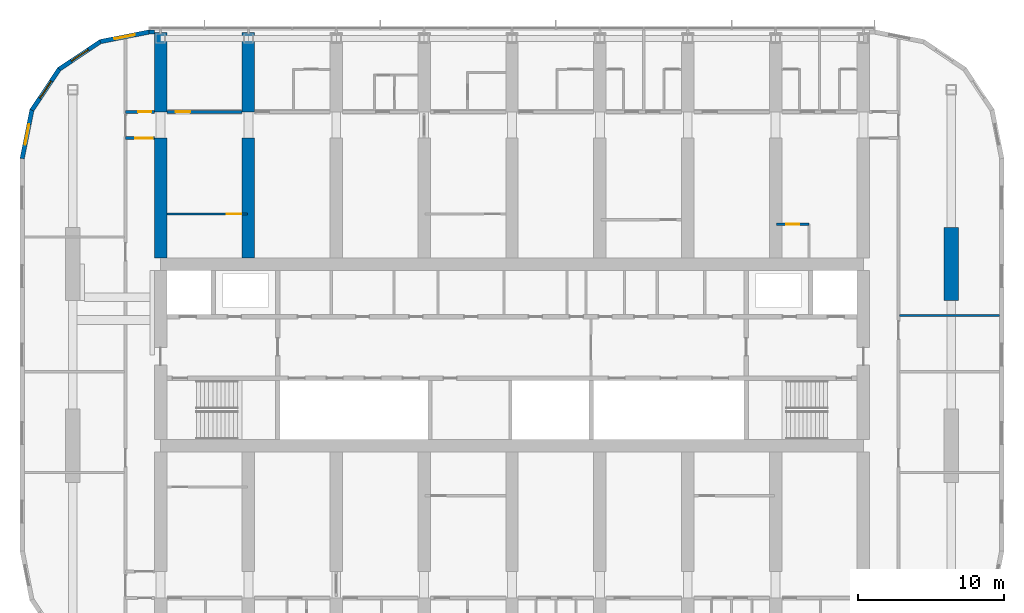
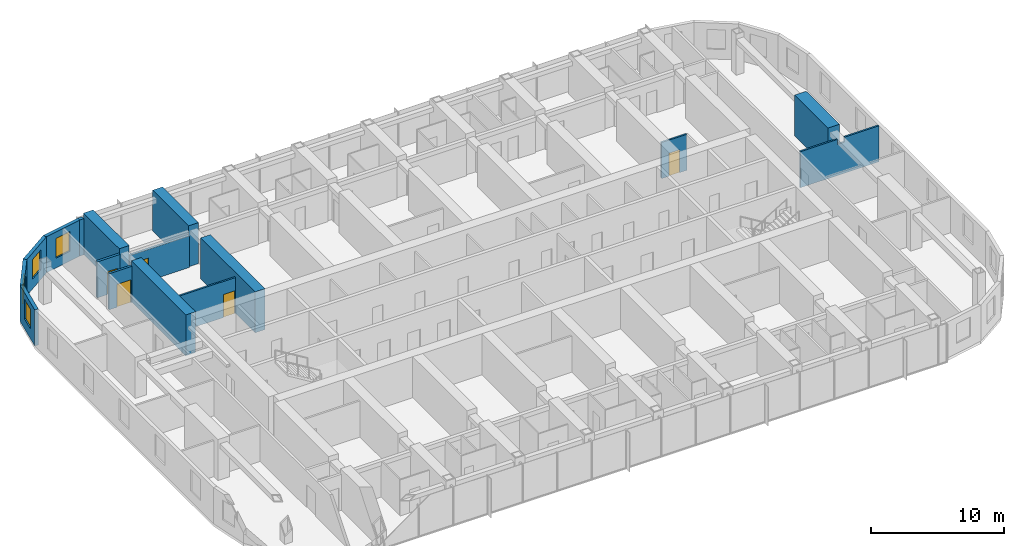
# One storey, part 15 of 23: 16 walls, 5 doors, 4 windows, 9 openings.
"""IFC4 building model written with IfcOpenShell, lengths in metres."""

from ifc_helpers import new_model, si_unit, direction, frame, frame_2d, origin, place, context, subcontext, project, spatial, polyline, rectangle, outline, extrude, material, layer, layer_set, type_object, element, fill, save


model = new_model("IFC4")

# Units and contexts
model_context = context("Model", 3, precision=1e-05, world=origin(), true_north=direction((0.0, 1.0)))
body_context = subcontext(model_context, "Body", "Model", "MODEL_VIEW")
ifc_project = project(units=[si_unit("LENGTHUNIT", "METRE"), si_unit("AREAUNIT", "SQUARE_METRE"), si_unit("VOLUMEUNIT", "CUBIC_METRE"), si_unit("PLANEANGLEUNIT", "RADIAN"), si_unit("MASSUNIT", "GRAM", prefix="KILO")], contexts=[model_context])

# Site, building, storey
site_placement = place(None, origin())
site = spatial("IfcSite", under=ifc_project, at=site_placement, CompositionType="ELEMENT")
building_placement = place(site_placement, origin())
building = spatial("IfcBuilding", under=site, at=building_placement, Name="Orbita Commons", CompositionType="ELEMENT")
storey_placement = place(building_placement, frame((0.0, 0.0, 174.85009765625)))
storey = spatial("IfcBuildingStorey", under=building, at=storey_placement, Name="L43", CompositionType="ELEMENT", Elevation=174.85009765625)

# Wall, opening, door
ifc_material_1 = material(Name="Concrete blockwork", Category="masonry")
ifc_layer_1 = layer(ifc_material_1, 0.199951171875)
ifc_layer_set_1 = layer_set([ifc_layer_1], Name="Concrete blockwork")
wall_type_1 = type_object("IfcWallType", Name="Corridor wall 200 blockwork", PredefinedType="SOLIDWALL", material=ifc_layer_set_1)
wall_1_placement = place(storey_placement, frame((15.60009765625, 48.60009765625, 0.0), z_axis=(0.0, 0.0, 1.0), x_axis=(1.0, 0.0, 0.0)))
wall_1 = element("IfcWall", 1, at=wall_1_placement, inside=storey, type_object=wall_type_1, Name="Corridor wall 200 blockwork L43", PredefinedType="SOLIDWALL", context=body_context, shape_type="SweptSolid", body=[
    extrude(rectangle(XDim=1.974853515625, YDim=0.199951171875, at=frame_2d((0.9873046875, 0.0))), origin(), (0.0, 0.0, 1.0), 3.2998046875),
])
opening_1_placement = place(wall_1_placement, frame((0.875, 0.0, 0.0)))
opening_1 = element("IfcOpeningElement", 2, at=opening_1_placement, cuts=wall_1, Name="Opening D05", PredefinedType="OPENING", context=body_context, shape_type="SweptSolid", body=[
    extrude(rectangle(XDim=0.89990234375, YDim=2.10009765625, at=frame_2d((0.449951171875, 1.050048828125))), frame((0.0, 0.10986328125, 0.0), z_axis=(0.0, -1.0, 0.0), x_axis=(1.0, 0.0, 0.0)), (0.0, 0.0, 1.0), 0.219970703125),
])
ifc_material_2 = material(Name="Steel-faced fire door leaf", Category="steel")
door_type_1 = type_object("IfcDoorType", Name="Service door 20 min 900x2100", OperationType="SINGLE_SWING_LEFT", PredefinedType="DOOR", material=ifc_material_2)
door_1_placement = place(opening_1_placement, origin())
door_1 = element("IfcDoor", 3, at=door_1_placement, inside=storey, type_object=door_type_1, Name="Linen store L43-KWN door", OperationType="SINGLE_SWING_LEFT", OverallHeight=2.10009765625, OverallWidth=0.89990234375, PredefinedType="DOOR", context=body_context, shape_type="SweptSolid", body=[
    extrude(rectangle(XDim=0.89990234375, YDim=2.10009765625, at=frame_2d((0.449951171875, 1.050048828125))), frame((0.0, 0.02490234375, 0.0), z_axis=(0.0, -1.0, 0.0), x_axis=(1.0, 0.0, 0.0)), (0.0, 0.0, 1.0), 0.050048828125),
])
fill(opening_1, door_1)

wall_2_placement = place(storey_placement, frame((18.425048828125, 48.60009765625, 0.0), z_axis=(0.0, 0.0, 1.0), x_axis=(1.0, 0.0, 0.0)))
wall_2 = element("IfcWall", 4, at=wall_2_placement, inside=storey, type_object=wall_type_1, Name="Corridor wall 200 blockwork L43", PredefinedType="SOLIDWALL", context=body_context, shape_type="SweptSolid", body=[
    extrude(outline(polyline([(0.0, 0.0), (5.14990234375, 0.0), (5.14990234375, 2.89990234375), (0.0, 2.89990234375), (0.0, 0.0)])), frame((0.0, 0.10009765625, 0.0), z_axis=(0.0, -1.0, 0.0), x_axis=(1.0, 0.0, 0.0)), (0.0, 0.0, 1.0), 0.199951171875),
])
opening_2_placement = place(wall_2_placement, frame((0.60009765625, 0.0, 0.0)))
opening_2 = element("IfcOpeningElement", 5, at=opening_2_placement, cuts=wall_2, Name="Opening D06", PredefinedType="OPENING", context=body_context, shape_type="SweptSolid", body=[
    extrude(rectangle(XDim=1.0, YDim=2.10009765625, at=frame_2d((0.5, 1.050048828125))), frame((0.0, 0.10986328125, 0.0), z_axis=(0.0, -1.0, 0.0), x_axis=(1.0, 0.0, 0.0)), (0.0, 0.0, 1.0), 0.219970703125),
])
ifc_material_3 = material(Name="Steel-faced fire door leaf", Category="steel")
door_type_2 = type_object("IfcDoorType", Name="Corridor door 20 min 1000x2100", OperationType="SINGLE_SWING_LEFT", PredefinedType="DOOR", material=ifc_material_3)
door_2_placement = place(opening_2_placement, origin())
door_2 = element("IfcDoor", 6, at=door_2_placement, inside=storey, type_object=door_type_2, Name="Sea-view lounge L43-N00 door", OperationType="SINGLE_SWING_LEFT", OverallHeight=2.10009765625, OverallWidth=1.0, PredefinedType="DOOR", context=body_context, shape_type="SweptSolid", body=[
    extrude(rectangle(XDim=1.0, YDim=2.10009765625, at=frame_2d((0.5, 1.050048828125))), frame((0.0, 0.02490234375, 0.0), z_axis=(0.0, -1.0, 0.0), x_axis=(1.0, 0.0, 0.0)), (0.0, 0.0, 1.0), 0.050048828125),
])
fill(opening_2, door_2)

ifc_material_4 = material(Name="Hollow concrete block 200", Category="concrete")
ifc_layer_2 = layer(ifc_material_4, 0.199951171875)
ifc_layer_set_2 = layer_set([ifc_layer_2], Name="Hollow concrete block 200")
wall_type_2 = type_object("IfcWallType", Name="Corridor wall 200 hollow concrete block", PredefinedType="SOLIDWALL", material=ifc_layer_set_2)
wall_3_placement = place(storey_placement, frame((15.60009765625, 46.800048828125, 0.0), z_axis=(0.0, 0.0, 1.0), x_axis=(1.0, 0.0, 0.0)))
wall_3 = element("IfcWall", 7, at=wall_3_placement, inside=storey, type_object=wall_type_2, Name="Corridor wall 200 hollow concrete block L43", PredefinedType="SOLIDWALL", context=body_context, shape_type="SweptSolid", body=[
    extrude(rectangle(XDim=1.974853515625, YDim=0.199951171875, at=frame_2d((0.9873046875, 0.0))), origin(), (0.0, 0.0, 1.0), 3.2998046875),
])
opening_3_placement = place(wall_3_placement, frame((0.675048828125, 0.0, 0.0)))
opening_3 = element("IfcOpeningElement", 8, at=opening_3_placement, cuts=wall_3, Name="Opening D12", PredefinedType="OPENING", context=body_context, shape_type="SweptSolid", body=[
    extrude(rectangle(XDim=1.199951171875, YDim=2.10009765625, at=frame_2d((0.60009765625, 1.050048828125))), frame((0.0, 0.10986328125, 0.0), z_axis=(0.0, -1.0, 0.0), x_axis=(1.0, 0.0, 0.0)), (0.0, 0.0, 1.0), 0.219970703125),
])
ifc_material_5 = material(Name="Steel-faced fire door leaf", Category="steel")
door_type_3 = type_object("IfcDoorType", Name="Double corridor door 20 min 1200x2100", OperationType="DOUBLE_DOOR_SINGLE_SWING", PredefinedType="DOOR", material=ifc_material_5)
door_3_placement = place(opening_3_placement, origin())
door_3 = element("IfcDoor", 9, at=door_3_placement, inside=storey, type_object=door_type_3, Name="Cross corridor doors", OperationType="DOUBLE_DOOR_SINGLE_SWING", OverallHeight=2.10009765625, OverallWidth=1.199951171875, PredefinedType="DOOR", context=body_context, shape_type="SweptSolid", body=[
    extrude(rectangle(XDim=1.199951171875, YDim=2.10009765625, at=frame_2d((0.60009765625, 1.050048828125))), frame((0.0, 0.02490234375, 0.0), z_axis=(0.0, -1.0, 0.0), x_axis=(1.0, 0.0, 0.0)), (0.0, 0.0, 1.0), 0.050048828125),
])
fill(opening_3, door_3)

# Walls
ifc_material_6 = material(Name="Concrete C50/60", Category="concrete")
ifc_layer_3 = layer(ifc_material_6, 0.85009765625)
ifc_layer_set_3 = layer_set([ifc_layer_3], Name="Concrete C50/60")
wall_type_3 = type_object("IfcWallType", Name="Cross wall 850 C50/60", PredefinedType="SHEAR", material=ifc_layer_set_3)
wall_4_placement = place(storey_placement, frame((18.0, 48.60009765625, 0.0), z_axis=(0.0, 0.0, 1.0), x_axis=(0.0, 1.0, 0.0)))
element("IfcWall", 10, at=wall_4_placement, inside=storey, type_object=wall_type_3, Name="Cross wall 4 north outer L43", PredefinedType="SHEAR", context=body_context, shape_type="SweptSolid", body=[
    extrude(rectangle(XDim=5.39990234375, YDim=0.85009765625, at=frame_2d((2.699951171875, 0.0))), origin(), (0.0, 0.0, 1.0), 3.75),
])
wall_5_placement = place(storey_placement, frame((18.0, 38.625, 0.0), z_axis=(0.0, 0.0, 1.0), x_axis=(0.0, 1.0, 0.0)))
element("IfcWall", 11, at=wall_5_placement, inside=storey, type_object=wall_type_3, Name="Cross wall 4 north inner L43", PredefinedType="SHEAR", context=body_context, shape_type="SweptSolid", body=[
    extrude(rectangle(XDim=8.175048828125, YDim=0.85009765625, at=frame_2d((4.08740234375, 0.0))), origin(), (0.0, 0.0, 1.0), 3.75),
])
wall_6_placement = place(storey_placement, frame((24.0, 48.60009765625, 0.0), z_axis=(0.0, 0.0, 1.0), x_axis=(0.0, 1.0, 0.0)))
element("IfcWall", 12, at=wall_6_placement, inside=storey, type_object=wall_type_3, Name="Cross wall 5 north outer L43", PredefinedType="SHEAR", context=body_context, shape_type="SweptSolid", body=[
    extrude(rectangle(XDim=5.39990234375, YDim=0.85009765625, at=frame_2d((2.699951171875, 0.0))), origin(), (0.0, 0.0, 1.0), 3.75),
])
wall_7_placement = place(storey_placement, frame((24.0, 38.625, 0.0), z_axis=(0.0, 0.0, 1.0), x_axis=(0.0, 1.0, 0.0)))
element("IfcWall", 13, at=wall_7_placement, inside=storey, type_object=wall_type_3, Name="Cross wall 5 north inner L43", PredefinedType="SHEAR", context=body_context, shape_type="SweptSolid", body=[
    extrude(rectangle(XDim=8.175048828125, YDim=0.85009765625, at=frame_2d((4.08740234375, 0.0))), origin(), (0.0, 0.0, 1.0), 3.75),
])
ifc_material_7 = material(Name="Concrete C50/60", Category="concrete")
ifc_layer_4 = layer(ifc_material_7, 1.0)
ifc_layer_set_4 = layer_set([ifc_layer_4], Name="Concrete C50/60")
wall_type_4 = type_object("IfcWallType", Name="End pier 1000x5000 C50/60", PredefinedType="SHEAR", material=ifc_layer_set_4)
wall_8_placement = place(storey_placement, frame((72.0, 35.699951171875, 0.0), z_axis=(0.0, 0.0, 1.0), x_axis=(0.0, 1.0, 0.0)))
element("IfcWall", 14, at=wall_8_placement, inside=storey, type_object=wall_type_4, Name="End pier 13/D L43", PredefinedType="SHEAR", context=body_context, shape_type="SweptSolid", body=[
    extrude(rectangle(XDim=5.0, YDim=1.0, at=frame_2d((2.5, 0.0))), origin(), (0.0, 0.0, 1.0), 3.75),
])

# Wall, opening, door
ifc_material_8 = material(Name="Gypsum plasterboard on steel studs", Category="steel")
ifc_layer_5 = layer(ifc_material_8, 0.14990234375)
ifc_layer_set_5 = layer_set([ifc_layer_5], Name="Gypsum plasterboard on steel studs")
wall_type_5 = type_object("IfcWallType", Name="Partition 150 plasterboard", PredefinedType="PARTITIONING", material=ifc_layer_set_5)
wall_9_placement = place(storey_placement, frame((23.925048828125, 41.625, 0.0), z_axis=(0.0, 0.0, 1.0), x_axis=(-1.0, 0.0, 0.0)))
wall_9 = element("IfcWall", 15, at=wall_9_placement, inside=storey, type_object=wall_type_5, Name="Partition 150 plasterboard L43", PredefinedType="PARTITIONING", context=body_context, shape_type="SweptSolid", body=[
    extrude(rectangle(XDim=5.5, YDim=0.14990234375, at=frame_2d((2.75, 0.0))), origin(), (0.0, 0.0, 1.0), 3.2998046875),
])
opening_4_placement = place(wall_9_placement, frame((0.39990234375, 0.0, 0.0)))
opening_4 = element("IfcOpeningElement", 16, at=opening_4_placement, cuts=wall_9, Name="Opening D18", PredefinedType="OPENING", context=body_context, shape_type="SweptSolid", body=[
    extrude(rectangle(XDim=1.0, YDim=2.10009765625, at=frame_2d((0.5, 1.050048828125))), frame((0.0, 0.0849609375, 0.0), z_axis=(0.0, -1.0, 0.0), x_axis=(1.0, 0.0, 0.0)), (0.0, 0.0, 1.0), 0.169921875),
])
ifc_material_9 = material(Name="Steel-faced fire door leaf", Category="steel")
door_type_4 = type_object("IfcDoorType", Name="Service door 20 min 1000x2100", OperationType="SINGLE_SWING_LEFT", PredefinedType="DOOR", material=ifc_material_9)
door_4_placement = place(opening_4_placement, origin())
door_4 = element("IfcDoor", 17, at=door_4_placement, inside=storey, type_object=door_type_4, Name="Bulk and luggage store L43-BDN18 door", OperationType="SINGLE_SWING_LEFT", OverallHeight=2.10009765625, OverallWidth=1.0, PredefinedType="DOOR", context=body_context, shape_type="SweptSolid", body=[
    extrude(rectangle(XDim=1.0, YDim=2.10009765625, at=frame_2d((0.5, 1.050048828125))), frame((0.0, 0.02490234375, 0.0), z_axis=(0.0, -1.0, 0.0), x_axis=(1.0, 0.0, 0.0)), (0.0, 0.0, 1.0), 0.050048828125),
])
fill(opening_4, door_4)

wall_10_placement = place(storey_placement, frame((62.27490234375, 40.925048828125, 0.0), z_axis=(0.0, 0.0, 1.0), x_axis=(-1.0, 0.0, 0.0)))
wall_10 = element("IfcWall", 18, at=wall_10_placement, inside=storey, type_object=wall_type_5, Name="Partition 150 plasterboard L43", PredefinedType="PARTITIONING", context=body_context, shape_type="SweptSolid", body=[
    extrude(rectangle(XDim=2.199951171875, YDim=0.14990234375, at=frame_2d((1.10009765625, 0.0))), origin(), (0.0, 0.0, 1.0), 3.2998046875),
])
opening_5_placement = place(wall_10_placement, frame((0.64990234375, 0.0, 0.0)))
opening_5 = element("IfcOpeningElement", 19, at=opening_5_placement, cuts=wall_10, Name="Opening D05", PredefinedType="OPENING", context=body_context, shape_type="SweptSolid", body=[
    extrude(rectangle(XDim=0.89990234375, YDim=2.10009765625, at=frame_2d((0.449951171875, 1.050048828125))), frame((0.0, 0.0849609375, 0.0), z_axis=(0.0, -1.0, 0.0), x_axis=(1.0, 0.0, 0.0)), (0.0, 0.0, 1.0), 0.169921875),
])
door_5_placement = place(opening_5_placement, origin())
door_5 = element("IfcDoor", 20, at=door_5_placement, inside=storey, type_object=door_type_1, Name="Accessible WC L43-BDN60 door", OperationType="SINGLE_SWING_LEFT", OverallHeight=2.10009765625, OverallWidth=0.89990234375, PredefinedType="DOOR", context=body_context, shape_type="SweptSolid", body=[
    extrude(rectangle(XDim=0.89990234375, YDim=2.10009765625, at=frame_2d((0.449951171875, 1.050048828125))), frame((0.0, 0.02490234375, 0.0), z_axis=(0.0, -1.0, 0.0), x_axis=(1.0, 0.0, 0.0)), (0.0, 0.0, 1.0), 0.050048828125),
])
fill(opening_5, door_5)

# Wall
wall_11_placement = place(storey_placement, frame((68.47509765625, 34.679931640625, 0.0), z_axis=(0.0, 0.0, 1.0), x_axis=(1.0, 0.0, 0.0)))
element("IfcWall", 21, at=wall_11_placement, inside=storey, type_object=wall_type_5, Name="Partition 150 plasterboard L43", PredefinedType="PARTITIONING", context=body_context, shape_type="SweptSolid", body=[
    extrude(outline(polyline([(0.0, 0.0), (6.81982421875, 0.0), (6.820068359375, 3.2998046875), (3.826904296875, 3.2998046875), (3.824951171875, 2.849853515625), (3.22705078125, 2.849853515625), (3.22509765625, 3.2998046875), (0.0, 3.2998046875), (0.0, 0.0)])), frame((0.0, 0.074951171875, 0.0), z_axis=(0.0, -1.0, 0.0), x_axis=(1.0, 0.0, 0.0)), (0.0, 0.0, 1.0), 0.14990234375),
])

# Wall, opening, window
ifc_material_10 = material(Name="Precast concrete C40/50, white board-marked finish", Category="concrete")
ifc_layer_6 = layer(ifc_material_10, 0.300048828125)
ifc_layer_set_6 = layer_set([ifc_layer_6], Name="Precast concrete C40/50, white board-marked finish")
wall_type_6 = type_object("IfcWallType", Name="Precast concrete end shield 300", PredefinedType="SOLIDWALL", material=ifc_layer_set_6)
wall_12_placement = place(storey_placement, frame((17.199951171875, 54.050048828125, 0.0), z_axis=(0.0, 0.0, 1.0), x_axis=(-0.98078325777, -0.195100490205, 0.0)))
wall_12 = element("IfcWall", 22, at=wall_12_placement, inside=storey, type_object=wall_type_6, Name="End shield NW chord 1 L43", PredefinedType="SOLIDWALL", context=body_context, shape_type="SweptSolid", body=[
    extrude(outline(polyline([(-0.02978515625, -0.14990234375), (3.40478515625, -0.14990234375), (3.34521484375, 0.14990234375), (0.02978515625, 0.14990234375), (-0.02978515625, -0.14990234375)])), origin(), (0.0, 0.0, 1.0), 3.2998046875),
])
opening_6_placement = place(wall_12_placement, frame((0.987548828125, 0.0, 0.89990234375)))
opening_6 = element("IfcOpeningElement", 23, at=opening_6_placement, cuts=wall_12, Name="Opening W02", PredefinedType="OPENING", context=body_context, shape_type="SweptSolid", body=[
    extrude(rectangle(XDim=1.39990234375, YDim=1.800048828125, at=frame_2d((0.699951171875, 0.89990234375))), frame((0.0, 0.159912109375, 0.0), z_axis=(0.0, -1.0, 0.0), x_axis=(1.0, 0.0, 0.0)), (0.0, 0.0, 1.0), 0.320068359375),
])
ifc_material_11 = material(Name="Aluminium frame, clear double glazing", Category="aluminium")
window_type = type_object("IfcWindowType", Name="Deep-set window 1400x1800", PartitioningType="SINGLE_PANEL", PredefinedType="WINDOW", material=ifc_material_11)
window_1_placement = place(opening_6_placement, origin())
window_1 = element("IfcWindow", 24, at=window_1_placement, inside=storey, type_object=window_type, Name="Window L43-NW0", OverallHeight=1.800048828125, OverallWidth=1.39990234375, PartitioningType="SINGLE_PANEL", PredefinedType="WINDOW", context=body_context, shape_type="SweptSolid", body=[
    extrude(rectangle(XDim=1.39990234375, YDim=1.800048828125, at=frame_2d((0.699951171875, 0.89990234375))), frame((0.0, 0.030029296875, 0.0), z_axis=(0.0, -1.0, 0.0), x_axis=(1.0, 0.0, 0.0)), (0.0, 0.0, 1.0), 0.06005859375),
])
fill(opening_6, window_1)

wall_13_placement = place(storey_placement, frame((13.889892578125, 53.3916015625, 0.0), z_axis=(0.0, 0.0, 1.0), x_axis=(-0.831493450887, -0.555534554399, 0.0)))
wall_13 = element("IfcWall", 25, at=wall_13_placement, inside=storey, type_object=wall_type_6, Name="End shield NW chord 2 L43", PredefinedType="SOLIDWALL", context=body_context, shape_type="SweptSolid", body=[
    extrude(outline(polyline([(-0.02978515625, -0.14990234375), (3.405029296875, -0.14990234375), (3.345458984375, 0.14990234375), (0.02978515625, 0.14990234375), (-0.02978515625, -0.14990234375)])), origin(), (0.0, 0.0, 1.0), 3.2998046875),
])
opening_7_placement = place(wall_13_placement, frame((0.987548828125, 0.0, 0.89990234375)))
opening_7 = element("IfcOpeningElement", 26, at=opening_7_placement, cuts=wall_13, Name="Opening W02", PredefinedType="OPENING", context=body_context, shape_type="SweptSolid", body=[
    extrude(rectangle(XDim=1.39990234375, YDim=1.800048828125, at=frame_2d((0.699951171875, 0.89990234375))), frame((0.0, 0.159912109375, 0.0), z_axis=(0.0, -1.0, 0.0), x_axis=(1.0, 0.0, 0.0)), (0.0, 0.0, 1.0), 0.320068359375),
])
window_2_placement = place(opening_7_placement, origin())
window_2 = element("IfcWindow", 27, at=window_2_placement, inside=storey, type_object=window_type, Name="Window L43-NW1", OverallHeight=1.800048828125, OverallWidth=1.39990234375, PartitioningType="SINGLE_PANEL", PredefinedType="WINDOW", context=body_context, shape_type="SweptSolid", body=[
    extrude(rectangle(XDim=1.39990234375, YDim=1.800048828125, at=frame_2d((0.699951171875, 0.89990234375))), frame((0.0, 0.030029296875, 0.0), z_axis=(0.0, -1.0, 0.0), x_axis=(1.0, 0.0, 0.0)), (0.0, 0.0, 1.0), 0.06005859375),
])
fill(opening_7, window_2)

wall_14_placement = place(storey_placement, frame((11.08349609375, 51.5166015625, 0.0), z_axis=(0.0, 0.0, 1.0), x_axis=(-0.555534554399, -0.831493450887, 0.0)))
wall_14 = element("IfcWall", 28, at=wall_14_placement, inside=storey, type_object=wall_type_6, Name="End shield NW chord 3 L43", PredefinedType="SOLIDWALL", context=body_context, shape_type="SweptSolid", body=[
    extrude(outline(polyline([(-0.02978515625, -0.14990234375), (3.405029296875, -0.14990234375), (3.345458984375, 0.14990234375), (0.02978515625, 0.14990234375), (-0.02978515625, -0.14990234375)])), origin(), (0.0, 0.0, 1.0), 3.2998046875),
])
opening_8_placement = place(wall_14_placement, frame((0.987548828125, 0.0, 0.89990234375)))
opening_8 = element("IfcOpeningElement", 29, at=opening_8_placement, cuts=wall_14, Name="Opening W02", PredefinedType="OPENING", context=body_context, shape_type="SweptSolid", body=[
    extrude(rectangle(XDim=1.39990234375, YDim=1.800048828125, at=frame_2d((0.699951171875, 0.89990234375))), frame((0.0, 0.159912109375, 0.0), z_axis=(0.0, -1.0, 0.0), x_axis=(1.0, 0.0, 0.0)), (0.0, 0.0, 1.0), 0.320068359375),
])
window_3_placement = place(opening_8_placement, origin())
window_3 = element("IfcWindow", 30, at=window_3_placement, inside=storey, type_object=window_type, Name="Window L43-NW2", OverallHeight=1.800048828125, OverallWidth=1.39990234375, PartitioningType="SINGLE_PANEL", PredefinedType="WINDOW", context=body_context, shape_type="SweptSolid", body=[
    extrude(rectangle(XDim=1.39990234375, YDim=1.800048828125, at=frame_2d((0.699951171875, 0.89990234375))), frame((0.0, 0.030029296875, 0.0), z_axis=(0.0, -1.0, 0.0), x_axis=(1.0, 0.0, 0.0)), (0.0, 0.0, 1.0), 0.06005859375),
])
fill(opening_8, window_3)

wall_15_placement = place(storey_placement, frame((9.20849609375, 48.710205078125, 0.0), z_axis=(0.0, 0.0, 1.0), x_axis=(-0.19508664885, -0.980786011034, 0.0)))
wall_15 = element("IfcWall", 31, at=wall_15_placement, inside=storey, type_object=wall_type_6, Name="End shield NW chord 4 L43", PredefinedType="SOLIDWALL", context=body_context, shape_type="SweptSolid", body=[
    extrude(outline(polyline([(-0.02978515625, -0.14990234375), (3.39013671875, -0.14990234375), (3.3603515625, 0.14990234375), (0.02978515625, 0.14990234375), (-0.02978515625, -0.14990234375)])), origin(), (0.0, 0.0, 1.0), 3.2998046875),
])
opening_9_placement = place(wall_15_placement, frame((0.987548828125, 0.0, 0.89990234375)))
opening_9 = element("IfcOpeningElement", 32, at=opening_9_placement, cuts=wall_15, Name="Opening W02", PredefinedType="OPENING", context=body_context, shape_type="SweptSolid", body=[
    extrude(rectangle(XDim=1.39990234375, YDim=1.800048828125, at=frame_2d((0.699951171875, 0.89990234375))), frame((0.0, 0.159912109375, 0.0), z_axis=(0.0, -1.0, 0.0), x_axis=(1.0, 0.0, 0.0)), (0.0, 0.0, 1.0), 0.320068359375),
])
window_4_placement = place(opening_9_placement, origin())
window_4 = element("IfcWindow", 33, at=window_4_placement, inside=storey, type_object=window_type, Name="Window L43-NW3", OverallHeight=1.800048828125, OverallWidth=1.39990234375, PartitioningType="SINGLE_PANEL", PredefinedType="WINDOW", context=body_context, shape_type="SweptSolid", body=[
    extrude(rectangle(XDim=1.39990234375, YDim=1.800048828125, at=frame_2d((0.699951171875, 0.89990234375))), frame((0.0, 0.030029296875, 0.0), z_axis=(0.0, -1.0, 0.0), x_axis=(1.0, 0.0, 0.0)), (0.0, 0.0, 1.0), 0.06005859375),
])
fill(opening_9, window_4)

# Wall
wall_16_placement = place(storey_placement, frame((17.199951171875, 54.050048828125, 0.0), z_axis=(0.0, 0.0, 1.0), x_axis=(1.0, 0.0, 0.0)))
element("IfcWall", 34, at=wall_16_placement, inside=storey, type_object=wall_type_6, Name="End shield NW closer L43", PredefinedType="SOLIDWALL", context=body_context, shape_type="SweptSolid", body=[
    extrude(rectangle(XDim=0.375, YDim=0.300048828125, at=frame_2d((0.1875, 0.0))), origin(), (0.0, 0.0, 1.0), 3.2998046875),
])

save(model, "model.ifc")
